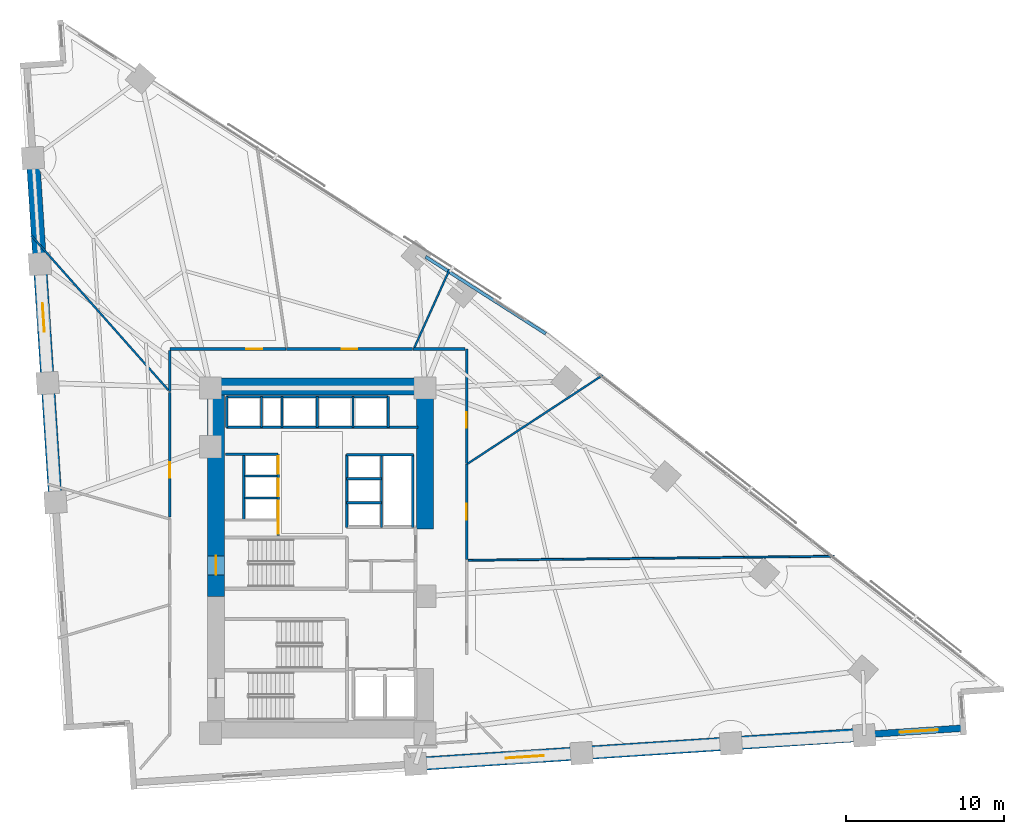
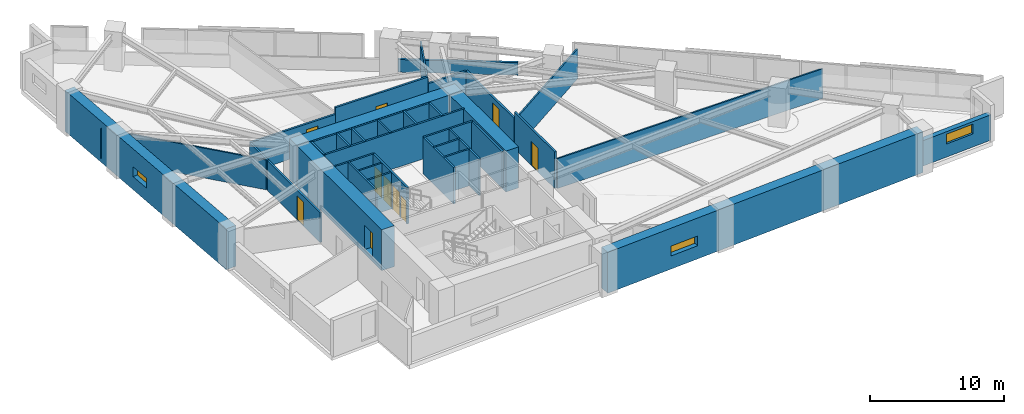
# One storey, part 14 of 17: 38 walls, 10 doors, 3 windows, 13 openings.
"""IFC4 building model written with IfcOpenShell, lengths in metres."""

from ifc_helpers import new_model, si_unit, direction, frame, frame_2d, origin, place, context, subcontext, project, spatial, rectangle, extrude, material, layer, layer_set, type_object, element, fill, save


model = new_model("IFC4")

# Units and contexts
model_context = context("Model", 3, precision=1e-05, world=origin(), true_north=direction((0.0, 1.0)))
body_context = subcontext(model_context, "Body", "Model", "MODEL_VIEW")
ifc_project = project(units=[si_unit("LENGTHUNIT", "METRE"), si_unit("AREAUNIT", "SQUARE_METRE"), si_unit("VOLUMEUNIT", "CUBIC_METRE"), si_unit("PLANEANGLEUNIT", "RADIAN"), si_unit("MASSUNIT", "GRAM", prefix="KILO")], contexts=[model_context])

# Site, building, storey
site_placement = place(None, origin())
site = spatial("IfcSite", under=ifc_project, at=site_placement, CompositionType="ELEMENT")
building_placement = place(site_placement, origin())
building = spatial("IfcBuilding", under=site, at=building_placement, Name="Narakoshi Arena Tower", CompositionType="ELEMENT")
storey_placement = place(building_placement, frame((0.0, 0.0, 63.300048828125)))
storey = spatial("IfcBuildingStorey", under=building, at=storey_placement, Name="L16", CompositionType="ELEMENT", Elevation=63.300048828125)

# Wall, opening, door
ifc_material_1 = material(Name="Concrete C60/75", Category="concrete")
ifc_layer_1 = layer(ifc_material_1, 1.10009765625)
ifc_layer_set_1 = layer_set([ifc_layer_1], Name="Concrete C60/75")
wall_type_1 = type_object("IfcWallType", Name="WL-CORE-1100", PredefinedType="SHEAR", material=ifc_layer_set_1)
wall_1_placement = place(storey_placement, frame((72.35009765625, 43.35009765625, -0.400146484375), z_axis=(0.0, 0.0, 1.0), x_axis=(0.0, 1.0, 0.0)))
wall_1 = element("IfcWall", 1, at=wall_1_placement, inside=storey, type_object=wall_type_1, Name="L16 Main Core Shear Wall CW-MN-W", PredefinedType="SHEAR", context=body_context, shape_type="SweptSolid", body=[
    extrude(rectangle(XDim=12.699951171875, YDim=1.10009765625, at=frame_2d((6.35009765625, 0.0))), origin(), (0.0, 0.0, 1.0), 3.739990234375),
])
opening_1_placement = place(wall_1_placement, frame((1.35009765625, 0.0, 0.39990234375)))
opening_1 = element("IfcOpeningElement", 2, at=opening_1_placement, cuts=wall_1, Name="Opening D-03", PredefinedType="OPENING", context=body_context, shape_type="SweptSolid", body=[
    extrude(rectangle(XDim=1.199951171875, YDim=2.199951171875, at=frame_2d((0.60009765625, 1.10009765625))), frame((0.0, 0.56005859375, 0.0), z_axis=(0.0, -1.0, 0.0), x_axis=(1.0, 0.0, 0.0)), (0.0, 0.0, 1.0), 1.1201171875),
])
ifc_material_2 = material(Name="Painted galvanized steel", Category="steel")
door_type_1 = type_object("IfcDoorType", Name="DR-STR-1200", OperationType="NOTDEFINED", PredefinedType="USERDEFINED", material=ifc_material_2)
door_1_placement = place(opening_1_placement, frame((1.199951171875, 0.0, 0.0), z_axis=(0.0, 0.0, 1.0), x_axis=(-1.0, 0.0, 0.0)))
door_1 = element("IfcDoor", 3, at=door_1_placement, inside=storey, type_object=door_type_1, Name="DR-L16-006", ObjectType="EXITDOOR", OperationType="SINGLE_SWING_LEFT", OverallHeight=2.199951171875, OverallWidth=1.199951171875, PredefinedType="USERDEFINED", context=body_context, shape_type="SweptSolid", body=[
    extrude(rectangle(XDim=1.199951171875, YDim=2.199951171875, at=frame_2d((0.60009765625, 1.10009765625))), frame((0.0, 0.02490234375, 0.0), z_axis=(0.0, -1.0, 0.0), x_axis=(1.0, 0.0, 0.0)), (0.0, 0.0, 1.0), 0.050048828125),
])
fill(opening_1, door_1)

# Walls
wall_2_placement = place(storey_placement, frame((71.800048828125, 56.60009765625, -0.400146484375), z_axis=(0.0, 0.0, 1.0), x_axis=(1.0, 0.0, 0.0)))
element("IfcWall", 4, at=wall_2_placement, inside=storey, type_object=wall_type_1, Name="L16 Main Core Shear Wall CW-MN-N", PredefinedType="SHEAR", context=body_context, shape_type="SweptSolid", body=[
    extrude(rectangle(XDim=14.300048828125, YDim=1.10009765625, at=frame_2d((7.14990234375, 0.0))), origin(), (0.0, 0.0, 1.0), 3.739990234375),
])
wall_3_placement = place(storey_placement, frame((85.550048828125, 47.60009765625, -0.400146484375), z_axis=(0.0, 0.0, 1.0), x_axis=(0.0, 1.0, 0.0)))
element("IfcWall", 5, at=wall_3_placement, inside=storey, type_object=wall_type_1, Name="L16 Main Core Shear Wall CW-MN-E", PredefinedType="SHEAR", context=body_context, shape_type="SweptSolid", body=[
    extrude(rectangle(XDim=8.449951171875, YDim=1.10009765625, at=frame_2d((4.22509765625, 0.0))), origin(), (0.0, 0.0, 1.0), 3.739990234375),
])

# Wall, opening, door
ifc_material_3 = material(Name="Gypsum plasterboard fire-rated partition")
ifc_layer_2 = layer(ifc_material_3, 0.1650390625)
ifc_layer_set_2 = layer_set([ifc_layer_2], Name="Gypsum plasterboard fire-rated partition")
wall_type_2 = type_object("IfcWallType", Name="WL-CORR-165", PredefinedType="PARTITIONING", material=ifc_layer_set_2)
wall_4_placement = place(storey_placement, frame((88.177978515625, 45.68115234375, 0.0), z_axis=(0.0, 0.0, 1.0), x_axis=(0.0, 1.0, 0.0)))
wall_4 = element("IfcWall", 6, at=wall_4_placement, inside=storey, type_object=wall_type_2, Name="L16 Corridor Partition 05-1", PredefinedType="PARTITIONING", context=body_context, shape_type="SweptSolid", body=[
    extrude(rectangle(XDim=6.02978515625, YDim=0.1650390625, at=frame_2d((3.014892578125, 0.0))), origin(), (0.0, 0.0, 1.0), 3.33984375),
])
opening_2_placement = place(wall_4_placement, frame((2.514892578125, 0.0, 0.0)))
opening_2 = element("IfcOpeningElement", 7, at=opening_2_placement, cuts=wall_4, Name="Opening D-06", PredefinedType="OPENING", context=body_context, shape_type="SweptSolid", body=[
    extrude(rectangle(XDim=1.0, YDim=2.199951171875, at=frame_2d((0.5, 1.10009765625))), frame((0.0, 0.092529296875, 0.0), z_axis=(0.0, -1.0, 0.0), x_axis=(1.0, 0.0, 0.0)), (0.0, 0.0, 1.0), 0.18505859375),
])
ifc_material_4 = material(Name="Stained oak solid-core timber", Category="wood")
door_type_2 = type_object("IfcDoorType", Name="DR-OFF-1000", OperationType="NOTDEFINED", PredefinedType="DOOR", material=ifc_material_4)
door_2_placement = place(opening_2_placement, frame((1.0, 0.0, 0.0), z_axis=(0.0, 0.0, 1.0), x_axis=(-1.0, 0.0, 0.0)))
door_2 = element("IfcDoor", 8, at=door_2_placement, inside=storey, type_object=door_type_2, Name="DR-L16-018", OperationType="SINGLE_SWING_RIGHT", OverallHeight=2.199951171875, OverallWidth=1.0, PredefinedType="DOOR", context=body_context, shape_type="SweptSolid", body=[
    extrude(rectangle(XDim=1.0, YDim=2.199951171875, at=frame_2d((0.5, 1.10009765625))), frame((0.0, 0.02490234375, 0.0), z_axis=(0.0, -1.0, 0.0), x_axis=(1.0, 0.0, 0.0)), (0.0, 0.0, 1.0), 0.050048828125),
])
fill(opening_2, door_2)

wall_5_placement = place(storey_placement, frame((88.177978515625, 51.739501953125, 0.0), z_axis=(0.0, 0.0, 1.0), x_axis=(0.0, 1.0, 0.0)))
wall_5 = element("IfcWall", 9, at=wall_5_placement, inside=storey, type_object=wall_type_2, Name="L16 Corridor Partition 06-1", PredefinedType="PARTITIONING", context=body_context, shape_type="SweptSolid", body=[
    extrude(rectangle(XDim=7.23291015625, YDim=0.1650390625, at=frame_2d((3.616455078125, 0.0))), origin(), (0.0, 0.0, 1.0), 2.724853515625),
])
opening_3_placement = place(wall_5_placement, frame((2.241455078125, 0.0, 0.0)))
opening_3 = element("IfcOpeningElement", 10, at=opening_3_placement, cuts=wall_5, Name="Opening D-06", PredefinedType="OPENING", context=body_context, shape_type="SweptSolid", body=[
    extrude(rectangle(XDim=1.0, YDim=2.199951171875, at=frame_2d((0.5, 1.10009765625))), frame((0.0, 0.092529296875, 0.0), z_axis=(0.0, -1.0, 0.0), x_axis=(1.0, 0.0, 0.0)), (0.0, 0.0, 1.0), 0.18505859375),
])
door_3_placement = place(opening_3_placement, frame((1.0, 0.0, 0.0), z_axis=(0.0, 0.0, 1.0), x_axis=(-1.0, 0.0, 0.0)))
door_3 = element("IfcDoor", 11, at=door_3_placement, inside=storey, type_object=door_type_2, Name="DR-L16-019", OperationType="SINGLE_SWING_LEFT", OverallHeight=2.199951171875, OverallWidth=1.0, PredefinedType="DOOR", context=body_context, shape_type="SweptSolid", body=[
    extrude(rectangle(XDim=1.0, YDim=2.199951171875, at=frame_2d((0.5, 1.10009765625))), frame((0.0, 0.02490234375, 0.0), z_axis=(0.0, -1.0, 0.0), x_axis=(1.0, 0.0, 0.0)), (0.0, 0.0, 1.0), 0.050048828125),
])
fill(opening_3, door_3)

# Wall
wall_6_placement = place(storey_placement, frame((88.08349609375, 58.972412109375, 0.0), z_axis=(0.0, 0.0, 1.0), x_axis=(-1.0, 0.0, 0.0)))
element("IfcWall", 12, at=wall_6_placement, inside=storey, type_object=wall_type_2, Name="L16 Corridor Partition 06-2", PredefinedType="PARTITIONING", context=body_context, shape_type="SweptSolid", body=[
    extrude(rectangle(XDim=3.2822265625, YDim=0.1650390625, at=frame_2d((1.64111328125, 0.0))), origin(), (0.0, 0.0, 1.0), 2.724853515625),
])

# Wall, opening, door
wall_7_placement = place(storey_placement, frame((84.77490234375, 58.972412109375, 0.0), z_axis=(0.0, 0.0, 1.0), x_axis=(-1.0, 0.0, 0.0)))
wall_7 = element("IfcWall", 13, at=wall_7_placement, inside=storey, type_object=wall_type_2, Name="L16 Corridor Partition 07-1", PredefinedType="PARTITIONING", context=body_context, shape_type="SweptSolid", body=[
    extrude(rectangle(XDim=7.986083984375, YDim=0.1650390625, at=frame_2d((3.9931640625, 0.0))), origin(), (0.0, 0.0, 1.0), 3.33984375),
])
opening_4_placement = place(wall_7_placement, frame((3.4931640625, 0.0, 0.0)))
opening_4 = element("IfcOpeningElement", 14, at=opening_4_placement, cuts=wall_7, Name="Opening D-06", PredefinedType="OPENING", context=body_context, shape_type="SweptSolid", body=[
    extrude(rectangle(XDim=1.0, YDim=2.199951171875, at=frame_2d((0.5, 1.10009765625))), frame((0.0, 0.092529296875, 0.0), z_axis=(0.0, -1.0, 0.0), x_axis=(1.0, 0.0, 0.0)), (0.0, 0.0, 1.0), 0.18505859375),
])
door_4_placement = place(opening_4_placement, frame((1.0, 0.0, 0.0), z_axis=(0.0, 0.0, 1.0), x_axis=(-1.0, 0.0, 0.0)))
door_4 = element("IfcDoor", 15, at=door_4_placement, inside=storey, type_object=door_type_2, Name="DR-L16-020", OperationType="SINGLE_SWING_RIGHT", OverallHeight=2.199951171875, OverallWidth=1.0, PredefinedType="DOOR", context=body_context, shape_type="SweptSolid", body=[
    extrude(rectangle(XDim=1.0, YDim=2.199951171875, at=frame_2d((0.5, 1.10009765625))), frame((0.0, 0.02490234375, 0.0), z_axis=(0.0, -1.0, 0.0), x_axis=(1.0, 0.0, 0.0)), (0.0, 0.0, 1.0), 0.050048828125),
])
fill(opening_4, door_4)

wall_8_placement = place(storey_placement, frame((76.764404296875, 58.972412109375, 0.0), z_axis=(0.0, 0.0, 1.0), x_axis=(-1.0, 0.0, 0.0)))
wall_8 = element("IfcWall", 16, at=wall_8_placement, inside=storey, type_object=wall_type_2, Name="L16 Corridor Partition 08-1", PredefinedType="PARTITIONING", context=body_context, shape_type="SweptSolid", body=[
    extrude(rectangle(XDim=7.3369140625, YDim=0.1650390625, at=frame_2d((3.66845703125, 0.0))), origin(), (0.0, 0.0, 1.0), 2.724853515625),
])
opening_5_placement = place(wall_8_placement, frame((1.506103515625, 0.0, 0.0)))
opening_5 = element("IfcOpeningElement", 17, at=opening_5_placement, cuts=wall_8, Name="Opening D-06", PredefinedType="OPENING", context=body_context, shape_type="SweptSolid", body=[
    extrude(rectangle(XDim=1.0, YDim=2.199951171875, at=frame_2d((0.5, 1.10009765625))), frame((0.0, 0.092529296875, 0.0), z_axis=(0.0, -1.0, 0.0), x_axis=(1.0, 0.0, 0.0)), (0.0, 0.0, 1.0), 0.18505859375),
])
door_5_placement = place(opening_5_placement, frame((1.0, 0.0, 0.0), z_axis=(0.0, 0.0, 1.0), x_axis=(-1.0, 0.0, 0.0)))
door_5 = element("IfcDoor", 18, at=door_5_placement, inside=storey, type_object=door_type_2, Name="DR-L16-021", OperationType="SINGLE_SWING_LEFT", OverallHeight=2.199951171875, OverallWidth=1.0, PredefinedType="DOOR", context=body_context, shape_type="SweptSolid", body=[
    extrude(rectangle(XDim=1.0, YDim=2.199951171875, at=frame_2d((0.5, 1.10009765625))), frame((0.0, 0.02490234375, 0.0), z_axis=(0.0, -1.0, 0.0), x_axis=(1.0, 0.0, 0.0)), (0.0, 0.0, 1.0), 0.050048828125),
])
fill(opening_5, door_5)

# Wall
wall_9_placement = place(storey_placement, frame((69.427490234375, 58.8779296875, 0.0), z_axis=(0.0, 0.0, 1.0), x_axis=(0.0, -1.0, 0.0)))
element("IfcWall", 19, at=wall_9_placement, inside=storey, type_object=wall_type_2, Name="L16 Corridor Partition 08-2", PredefinedType="PARTITIONING", context=body_context, shape_type="SweptSolid", body=[
    extrude(rectangle(XDim=2.603271484375, YDim=0.1650390625, at=frame_2d((1.3017578125, 0.0))), origin(), (0.0, 0.0, 1.0), 2.724853515625),
])

# Wall, opening, door
wall_10_placement = place(storey_placement, frame((69.427490234375, 56.23828125, 0.0), z_axis=(0.0, 0.0, 1.0), x_axis=(0.0, -1.0, 0.0)))
wall_10 = element("IfcWall", 20, at=wall_10_placement, inside=storey, type_object=wall_type_2, Name="L16 Corridor Partition 09-1", PredefinedType="PARTITIONING", context=body_context, shape_type="SweptSolid", body=[
    extrude(rectangle(XDim=7.8857421875, YDim=0.1650390625, at=frame_2d((3.94287109375, 0.0))), origin(), (0.0, 0.0, 1.0), 2.724853515625),
])
opening_6_placement = place(wall_10_placement, frame((4.415771484375, 0.0, 0.0)))
opening_6 = element("IfcOpeningElement", 21, at=opening_6_placement, cuts=wall_10, Name="Opening D-06", PredefinedType="OPENING", context=body_context, shape_type="SweptSolid", body=[
    extrude(rectangle(XDim=1.0, YDim=2.199951171875, at=frame_2d((0.5, 1.10009765625))), frame((0.0, 0.092529296875, 0.0), z_axis=(0.0, -1.0, 0.0), x_axis=(1.0, 0.0, 0.0)), (0.0, 0.0, 1.0), 0.18505859375),
])
door_6_placement = place(opening_6_placement, frame((1.0, 0.0, 0.0), z_axis=(0.0, 0.0, 1.0), x_axis=(-1.0, 0.0, 0.0)))
door_6 = element("IfcDoor", 22, at=door_6_placement, inside=storey, type_object=door_type_2, Name="DR-L16-022", OperationType="SINGLE_SWING_RIGHT", OverallHeight=2.199951171875, OverallWidth=1.0, PredefinedType="DOOR", context=body_context, shape_type="SweptSolid", body=[
    extrude(rectangle(XDim=1.0, YDim=2.199951171875, at=frame_2d((0.5, 1.10009765625))), frame((0.0, 0.02490234375, 0.0), z_axis=(0.0, -1.0, 0.0), x_axis=(1.0, 0.0, 0.0)), (0.0, 0.0, 1.0), 0.050048828125),
])
fill(opening_6, door_6)

# Wall, opening, window
ifc_layer_3 = layer(ifc_material_1, 0.85009765625)
ifc_layer_set_3 = layer_set([ifc_layer_3], Name="Concrete C60/75")
wall_type_3 = type_object("IfcWallType", Name="WL-LEG-850", PredefinedType="SHEAR", material=ifc_layer_set_3)
wall_11_placement = place(storey_placement, frame((84.95703125, 32.7509765625, -0.400146484375), z_axis=(0.0, 0.0, 1.0), x_axis=(0.997859046449, 0.065401249368, 0.0)))
wall_11 = element("IfcWall", 23, at=wall_11_placement, inside=storey, type_object=wall_type_3, Name="L16 Architectural Concrete Structural Wall LEGA-2", PredefinedType="SHEAR", context=body_context, shape_type="SweptSolid", body=[
    extrude(rectangle(XDim=28.400390625, YDim=0.85009765625, at=frame_2d((14.2001953125, 0.0))), origin(), (0.0, 0.0, 1.0), 3.739990234375),
])
opening_7_placement = place(wall_11_placement, frame((5.699951171875, 0.0, 1.199951171875)))
opening_7 = element("IfcOpeningElement", 24, at=opening_7_placement, cuts=wall_11, Name="Opening WN-01", PredefinedType="OPENING", context=body_context, shape_type="SweptSolid", body=[
    extrude(rectangle(XDim=2.39990234375, YDim=0.89990234375, at=frame_2d((1.199951171875, 0.449951171875))), frame((0.0, 0.43505859375, 0.0), z_axis=(0.0, -1.0, 0.0), x_axis=(1.0, 0.0, 0.0)), (0.0, 0.0, 1.0), 0.8701171875),
])
ifc_material_5 = material(Name="Bronze-tinted low-E laminated glass", Category="glass")
window_type_1 = type_object("IfcWindowType", Name="WIN-SLT-24x09", PartitioningType="SINGLE_PANEL", PredefinedType="WINDOW", material=ifc_material_5)
window_1_placement = place(opening_7_placement, origin())
window_1 = element("IfcWindow", 25, at=window_1_placement, inside=storey, type_object=window_type_1, Name="L16 LEGA2 Horizontal Slot Window 1", OverallHeight=0.89990234375, OverallWidth=2.39990234375, PartitioningType="SINGLE_PANEL", PredefinedType="WINDOW", context=body_context, shape_type="SweptSolid", body=[
    extrude(rectangle(XDim=2.39990234375, YDim=0.89990234375, at=frame_2d((1.199951171875, 0.449951171875))), frame((0.0, 0.030029296875, 0.0), z_axis=(0.0, -1.0, 0.0), x_axis=(1.0, 0.0, 0.0)), (0.0, 0.0, 1.0), 0.06005859375),
])
fill(opening_7, window_1)

wall_12_placement = place(storey_placement, frame((60.785400390625, 71.031005859375, -0.400146484375), z_axis=(0.0, 0.0, 1.0), x_axis=(0.065409824833, -0.997858484363, 0.0)))
wall_12 = element("IfcWall", 26, at=wall_12_placement, inside=storey, type_object=wall_type_3, Name="L16 Architectural Concrete Structural Wall LEGB-2", PredefinedType="SHEAR", context=body_context, shape_type="SweptSolid", body=[
    extrude(rectangle(XDim=21.78271484375, YDim=0.85009765625, at=frame_2d((10.891357421875, 0.0))), origin(), (0.0, 0.0, 1.0), 3.739990234375),
])
opening_8_placement = place(wall_12_placement, frame((9.199951171875, 0.0, 1.199951171875)))
opening_8 = element("IfcOpeningElement", 27, at=opening_8_placement, cuts=wall_12, Name="Opening WN-02", PredefinedType="OPENING", context=body_context, shape_type="SweptSolid", body=[
    extrude(rectangle(XDim=1.800048828125, YDim=0.89990234375, at=frame_2d((0.89990234375, 0.449951171875))), frame((0.0, 0.43505859375, 0.0), z_axis=(0.0, -1.0, 0.0), x_axis=(1.0, 0.0, 0.0)), (0.0, 0.0, 1.0), 0.8701171875),
])
window_type_2 = type_object("IfcWindowType", Name="WIN-SLT-18x09", PartitioningType="SINGLE_PANEL", PredefinedType="WINDOW", material=ifc_material_5)
window_2_placement = place(opening_8_placement, origin())
window_2 = element("IfcWindow", 28, at=window_2_placement, inside=storey, type_object=window_type_2, Name="L16 LEGB2 Horizontal Slot Window 1", OverallHeight=0.89990234375, OverallWidth=1.800048828125, PartitioningType="SINGLE_PANEL", PredefinedType="WINDOW", context=body_context, shape_type="SweptSolid", body=[
    extrude(rectangle(XDim=1.800048828125, YDim=0.89990234375, at=frame_2d((0.89990234375, 0.449951171875))), frame((0.0, 0.030029296875, 0.0), z_axis=(0.0, -1.0, 0.0), x_axis=(1.0, 0.0, 0.0)), (0.0, 0.0, 1.0), 0.06005859375),
])
fill(opening_8, window_2)

# Walls
ifc_material_6 = material(Name="Precast concrete C45/55", Category="concrete")
ifc_layer_4 = layer(ifc_material_6, 0.25)
ifc_layer_set_4 = layer_set([ifc_layer_4], Name="Precast concrete C45/55")
wall_type_4 = type_object("IfcWallType", Name="WL-PARA-250", PredefinedType="PARAPET", material=ifc_layer_set_4)
wall_13_placement = place(storey_placement, frame((93.176025390625, 59.93896484375, 0.0), z_axis=(0.0, 0.0, 1.0), x_axis=(-0.842413081081, 0.538832256666, 0.0)))
element("IfcWall", 29, at=wall_13_placement, inside=storey, type_object=wall_type_4, Name="L16 Hypotenuse Sill Upstand Parapet 2-01", PredefinedType="PARAPET", context=body_context, shape_type="SweptSolid", body=[
    extrude(rectangle(XDim=9.010986328125, YDim=0.199951171875, at=frame_2d((4.50537109375, 0.0))), origin(), (0.0, 0.0, 1.0), 1.14990234375),
])
ifc_layer_5 = layer(ifc_material_3, 0.125)
ifc_layer_set_5 = layer_set([ifc_layer_5], Name="Gypsum plasterboard fire-rated partition")
wall_type_5 = type_object("IfcWallType", Name="WL-PART-125", PredefinedType="PARTITIONING", material=ifc_layer_set_5)
wall_14_placement = place(storey_placement, frame((88.272705078125, 45.622314453125, 0.0), z_axis=(0.0, 0.0, 1.0), x_axis=(0.999939012806, 0.011044033191, 0.0)))
element("IfcWall", 30, at=wall_14_placement, inside=storey, type_object=wall_type_5, Name="L16 Inter-Room Partition 04-05", PredefinedType="PARTITIONING", context=body_context, shape_type="SweptSolid", body=[
    extrude(rectangle(XDim=23.123046875, YDim=0.125, at=frame_2d((11.5615234375, 0.0))), origin(), (0.0, 0.0, 1.0), 2.724853515625),
])
wall_15_placement = place(storey_placement, frame((88.22607421875, 51.7109375, 0.0), z_axis=(0.0, 0.0, 1.0), x_axis=(0.83621278641, 0.548405120185, 0.0)))
element("IfcWall", 31, at=wall_15_placement, inside=storey, type_object=wall_type_5, Name="L16 Inter-Room Partition 05-06", PredefinedType="PARTITIONING", context=body_context, shape_type="SweptSolid", body=[
    extrude(rectangle(XDim=10.228515625, YDim=0.125, at=frame_2d((5.1142578125, 0.0))), origin(), (0.0, 0.0, 1.0), 2.724853515625),
])
wall_16_placement = place(storey_placement, frame((84.88330078125, 59.06689453125, 0.0), z_axis=(0.0, 0.0, 1.0), x_axis=(0.41061747733, 0.911807703033, 0.0)))
element("IfcWall", 32, at=wall_16_placement, inside=storey, type_object=wall_type_5, Name="L16 Inter-Room Partition 06-07", PredefinedType="PARTITIONING", context=body_context, shape_type="SweptSolid", body=[
    extrude(rectangle(XDim=5.420654296875, YDim=0.125, at=frame_2d((2.71044921875, 0.0))), origin(), (0.0, 0.0, 1.0), 2.724853515625),
])
wall_17_placement = place(storey_placement, frame((69.3330078125, 56.38134765625, 0.0), z_axis=(0.0, 0.0, 1.0), x_axis=(-0.663307276118, 0.748347150358, 0.0)))
element("IfcWall", 33, at=wall_17_placement, inside=storey, type_object=wall_type_5, Name="L16 Inter-Room Partition 08-09", PredefinedType="PARTITIONING", context=body_context, shape_type="SweptSolid", body=[
    extrude(rectangle(XDim=13.04541015625, YDim=0.125, at=frame_2d((6.522705078125, 0.0))), origin(), (0.0, 0.0, 1.0), 2.724853515625),
])

# Wall, opening, window
ifc_layer_6 = layer(ifc_material_6, 0.419921875)
ifc_layer_set_6 = layer_set([ifc_layer_6], Name="Precast concrete C45/55")
wall_type_6 = type_object("IfcWallType", Name="WL-POD-420", PredefinedType="SOLIDWALL", material=ifc_layer_set_6)
wall_18_placement = place(storey_placement, frame((113.296630859375, 34.6083984375, 0.0), z_axis=(0.0, 0.0, 1.0), x_axis=(0.997857907016, 0.065418631945, 0.0)))
wall_18 = element("IfcWall", 34, at=wall_18_placement, inside=storey, type_object=wall_type_6, Name="L16 Architectural Concrete Facade Wall LEGA-3", PredefinedType="SOLIDWALL", context=body_context, shape_type="SweptSolid", body=[
    extrude(rectangle(XDim=6.2734375, YDim=0.419921875, at=frame_2d((3.13671875, 0.0))), origin(), (0.0, 0.0, 1.0), 2.324951171875),
])
opening_9_placement = place(wall_18_placement, frame((2.25341796875, 0.0, 1.199951171875)))
opening_9 = element("IfcOpeningElement", 35, at=opening_9_placement, cuts=wall_18, Name="Opening WN-01", PredefinedType="OPENING", context=body_context, shape_type="SweptSolid", body=[
    extrude(rectangle(XDim=2.39990234375, YDim=0.89990234375, at=frame_2d((1.199951171875, 0.449951171875))), frame((0.0, 0.219970703125, 0.0), z_axis=(0.0, -1.0, 0.0), x_axis=(1.0, 0.0, 0.0)), (0.0, 0.0, 1.0), 0.43994140625),
])
window_3_placement = place(opening_9_placement, origin())
window_3 = element("IfcWindow", 36, at=window_3_placement, inside=storey, type_object=window_type_1, Name="L16 LEGA3 Horizontal Slot Window 1", OverallHeight=0.89990234375, OverallWidth=2.39990234375, PartitioningType="SINGLE_PANEL", PredefinedType="WINDOW", context=body_context, shape_type="SweptSolid", body=[
    extrude(rectangle(XDim=2.39990234375, YDim=0.89990234375, at=frame_2d((1.199951171875, 0.449951171875))), frame((0.0, 0.030029296875, 0.0), z_axis=(0.0, -1.0, 0.0), x_axis=(1.0, 0.0, 0.0)), (0.0, 0.0, 1.0), 0.06005859375),
])
fill(opening_9, window_3)

# Walls
ifc_material_7 = material(Name="Concrete C40/50", Category="concrete")
ifc_layer_7 = layer(ifc_material_7, 0.280029296875)
ifc_layer_set_7 = layer_set([ifc_layer_7], Name="Concrete C40/50")
wall_type_7 = type_object("IfcWallType", Name="WL-RISER-280", PredefinedType="PLUMBINGWALL", material=ifc_layer_set_7)
for number, where, z_axis, x_axis, name in (
    (37, (74.14990234375, 49.550048828125, 0.0), (0.0, 0.0, 1.0), (1.0, 0.0, 0.0), "L16 Core Wall LR-D1"),
    (38, (74.14990234375, 50.949951171875, 0.0), (0.0, 0.0, 1.0), (1.0, 0.0, 0.0), "L16 Core Wall LR-D2"),
):
    element("IfcWall", number, at=place(storey_placement, frame(where, z_axis=z_axis, x_axis=x_axis)), inside=storey, type_object=wall_type_7, Name=name, PredefinedType="PLUMBINGWALL", context=body_context, shape_type="SweptSolid", body=[
        extrude(rectangle(XDim=2.0400390625, YDim=0.139892578125, at=frame_2d((1.02001953125, 0.0))), origin(), (0.0, 0.0, 1.0), 3.33984375),
    ])
wall_19_placement = place(storey_placement, frame((74.10009765625, 48.159912109375, 0.0), z_axis=(0.0, 0.0, 1.0), x_axis=(0.0, 1.0, 0.0)))
element("IfcWall", 39, at=wall_19_placement, inside=storey, type_object=wall_type_7, Name="L16 Core Wall LR-W", PredefinedType="PLUMBINGWALL", context=body_context, shape_type="SweptSolid", body=[
    extrude(rectangle(XDim=4.16015625, YDim=0.139892578125, at=frame_2d((2.080078125, 0.0))), origin(), (0.0, 0.0, 1.0), 3.33984375),
])
for number, where, z_axis, x_axis, name in (
    (40, (80.60009765625, 49.260009765625, 0.0), (0.0, 0.0, 1.0), (1.0, 0.0, 0.0), "L16 Core Wall MR-D1"),
    (41, (80.60009765625, 50.780029296875, 0.0), (0.0, 0.0, 1.0), (1.0, 0.0, 0.0), "L16 Core Wall MR-D2"),
):
    element("IfcWall", number, at=place(storey_placement, frame(where, z_axis=z_axis, x_axis=x_axis)), inside=storey, type_object=wall_type_7, Name=name, PredefinedType="PLUMBINGWALL", context=body_context, shape_type="SweptSolid", body=[
        extrude(rectangle(XDim=2.199951171875, YDim=0.14990234375, at=frame_2d((1.10009765625, 0.0))), origin(), (0.0, 0.0, 1.0), 3.33984375),
    ])
wall_20_placement = place(storey_placement, frame((82.800048828125, 47.699951171875, 0.0), z_axis=(0.0, 0.0, 1.0), x_axis=(0.0, 1.0, 0.0)))
element("IfcWall", 42, at=wall_20_placement, inside=storey, type_object=wall_type_7, Name="L16 Core Wall MR-E", PredefinedType="PLUMBINGWALL", context=body_context, shape_type="SweptSolid", body=[
    extrude(rectangle(XDim=4.60009765625, YDim=0.14990234375, at=frame_2d((2.300048828125, 0.0))), origin(), (0.0, 0.0, 1.0), 3.33984375),
])
for number, where, z_axis, x_axis, name in (
    (43, (73.02001953125, 54.02001953125, 0.0), (0.0, 0.0, 1.0), (0.0, 1.0, 0.0), "L16 Core Wall OBS-W"),
    (44, (75.219970703125, 54.02001953125, 0.0), (0.0, 0.0, 1.0), (0.0, 1.0, 0.0), "L16 Core Wall OBS-M"),
):
    element("IfcWall", number, at=place(storey_placement, frame(where, z_axis=z_axis, x_axis=x_axis)), inside=storey, type_object=wall_type_7, Name=name, PredefinedType="PLUMBINGWALL", context=body_context, shape_type="SweptSolid", body=[
        extrude(rectangle(XDim=1.93994140625, YDim=0.14990234375, at=frame_2d((0.969970703125, 0.0))), origin(), (0.0, 0.0, 1.0), 3.33984375),
    ])
for number, where, z_axis, x_axis, name in (
    (45, (78.75, 54.02001953125, 0.0), (0.0, 0.0, 1.0), (0.0, 1.0, 0.0), "L16 Core Wall HR-D1"),
    (46, (81.0, 54.02001953125, 0.0), (0.0, 0.0, 1.0), (0.0, 1.0, 0.0), "L16 Core Wall HR-D2"),
):
    element("IfcWall", number, at=place(storey_placement, frame(where, z_axis=z_axis, x_axis=x_axis)), inside=storey, type_object=wall_type_7, Name=name, PredefinedType="PLUMBINGWALL", context=body_context, shape_type="SweptSolid", body=[
        extrude(rectangle(XDim=1.9599609375, YDim=0.14990234375, at=frame_2d((0.97998046875, 0.0))), origin(), (0.0, 0.0, 1.0), 3.33984375),
    ])

# Wall, openings, doors
ifc_material_8 = material(Name="Concrete C50/60", Category="concrete")
ifc_layer_8 = layer(ifc_material_8, 0.35009765625)
ifc_layer_set_8 = layer_set([ifc_layer_8], Name="Concrete C50/60")
wall_type_8 = type_object("IfcWallType", Name="WL-SHAFT-350", PredefinedType="SOLIDWALL", material=ifc_layer_set_8)
wall_21_placement = place(storey_placement, frame((76.280029296875, 47.179931640625, 0.0), z_axis=(0.0, 0.0, 1.0), x_axis=(0.0, 1.0, 0.0)))
wall_21 = element("IfcWall", 47, at=wall_21_placement, inside=storey, type_object=wall_type_8, Name="L16 Core Wall LR-E", PredefinedType="SOLIDWALL", context=body_context, shape_type="SweptSolid", body=[
    extrude(rectangle(XDim=5.14013671875, YDim=0.159912109375, at=frame_2d((2.570068359375, 0.0))), origin(), (0.0, 0.0, 1.0), 3.33984375),
])
opening_10_placement = place(wall_21_placement, frame((1.10009765625, 0.0, 0.0)))
opening_10 = element("IfcOpeningElement", 48, at=opening_10_placement, cuts=wall_21, Name="Opening LD-01", PredefinedType="OPENING", context=body_context, shape_type="SweptSolid", body=[
    extrude(rectangle(XDim=1.10009765625, YDim=2.25, at=frame_2d((0.550048828125, 1.125))), frame((0.0, 0.08984375, 0.0), z_axis=(0.0, -1.0, 0.0), x_axis=(1.0, 0.0, 0.0)), (0.0, 0.0, 1.0), 0.179931640625),
])
opening_11_placement = place(wall_21_placement, frame((2.5, 0.0, 0.0)))
opening_11 = element("IfcOpeningElement", 49, at=opening_11_placement, cuts=wall_21, Name="Opening LD-01", PredefinedType="OPENING", context=body_context, shape_type="SweptSolid", body=[
    extrude(rectangle(XDim=1.10009765625, YDim=2.25, at=frame_2d((0.550048828125, 1.125))), frame((0.0, 0.08984375, 0.0), z_axis=(0.0, -1.0, 0.0), x_axis=(1.0, 0.0, 0.0)), (0.0, 0.0, 1.0), 0.179931640625),
])
opening_12_placement = place(wall_21_placement, frame((3.89990234375, 0.0, 0.0)))
opening_12 = element("IfcOpeningElement", 50, at=opening_12_placement, cuts=wall_21, Name="Opening LD-01", PredefinedType="OPENING", context=body_context, shape_type="SweptSolid", body=[
    extrude(rectangle(XDim=1.10009765625, YDim=2.25, at=frame_2d((0.550048828125, 1.125))), frame((0.0, 0.08984375, 0.0), z_axis=(0.0, -1.0, 0.0), x_axis=(1.0, 0.0, 0.0)), (0.0, 0.0, 1.0), 0.179931640625),
])
opening_13_placement = place(wall_21_placement, frame((0.1201171875, 0.0, 0.0)))
opening_13 = element("IfcOpeningElement", 51, at=opening_13_placement, cuts=wall_21, Name="Opening D-10", PredefinedType="OPENING", context=body_context, shape_type="SweptSolid", body=[
    extrude(rectangle(XDim=0.85009765625, YDim=2.050048828125, at=frame_2d((0.425048828125, 1.02490234375))), frame((0.0, 0.08984375, 0.0), z_axis=(0.0, -1.0, 0.0), x_axis=(1.0, 0.0, 0.0)), (0.0, 0.0, 1.0), 0.179931640625),
])
ifc_material_9 = material(Name="Brushed bronze stainless steel", Category="steel")
door_type_3 = type_object("IfcDoorType", Name="DR-LFT-1100", OperationType="DOUBLE_DOOR_SLIDING", PredefinedType="DOOR", material=ifc_material_9)
door_7_placement = place(opening_10_placement, origin())
door_7 = element("IfcDoor", 52, at=door_7_placement, inside=storey, type_object=door_type_3, Name="DR-L16-010", OperationType="DOUBLE_DOOR_SLIDING", OverallHeight=2.25, OverallWidth=1.10009765625, PredefinedType="DOOR", context=body_context, shape_type="SweptSolid", body=[
    extrude(rectangle(XDim=1.10009765625, YDim=2.25, at=frame_2d((0.550048828125, 1.125))), frame((0.0, 0.02490234375, 0.0), z_axis=(0.0, -1.0, 0.0), x_axis=(1.0, 0.0, 0.0)), (0.0, 0.0, 1.0), 0.050048828125),
])
fill(opening_10, door_7)
door_8_placement = place(opening_11_placement, origin())
door_8 = element("IfcDoor", 53, at=door_8_placement, inside=storey, type_object=door_type_3, Name="DR-L16-011", OperationType="DOUBLE_DOOR_SLIDING", OverallHeight=2.25, OverallWidth=1.10009765625, PredefinedType="DOOR", context=body_context, shape_type="SweptSolid", body=[
    extrude(rectangle(XDim=1.10009765625, YDim=2.25, at=frame_2d((0.550048828125, 1.125))), frame((0.0, 0.02490234375, 0.0), z_axis=(0.0, -1.0, 0.0), x_axis=(1.0, 0.0, 0.0)), (0.0, 0.0, 1.0), 0.050048828125),
])
fill(opening_11, door_8)
door_9_placement = place(opening_12_placement, origin())
door_9 = element("IfcDoor", 54, at=door_9_placement, inside=storey, type_object=door_type_3, Name="DR-L16-012", OperationType="DOUBLE_DOOR_SLIDING", OverallHeight=2.25, OverallWidth=1.10009765625, PredefinedType="DOOR", context=body_context, shape_type="SweptSolid", body=[
    extrude(rectangle(XDim=1.10009765625, YDim=2.25, at=frame_2d((0.550048828125, 1.125))), frame((0.0, 0.02490234375, 0.0), z_axis=(0.0, -1.0, 0.0), x_axis=(1.0, 0.0, 0.0)), (0.0, 0.0, 1.0), 0.050048828125),
])
fill(opening_12, door_9)
door_type_4 = type_object("IfcDoorType", Name="DR-RSR-850", OperationType="NOTDEFINED", PredefinedType="DOOR", material=ifc_material_2)
door_10_placement = place(opening_13_placement, frame((0.85009765625, 0.0, 0.0), z_axis=(0.0, 0.0, 1.0), x_axis=(-1.0, 0.0, 0.0)))
door_10 = element("IfcDoor", 55, at=door_10_placement, inside=storey, type_object=door_type_4, Name="DR-L16-013", OperationType="SINGLE_SWING_LEFT", OverallHeight=2.050048828125, OverallWidth=0.85009765625, PredefinedType="DOOR", context=body_context, shape_type="SweptSolid", body=[
    extrude(rectangle(XDim=0.85009765625, YDim=2.050048828125, at=frame_2d((0.425048828125, 1.02490234375))), frame((0.0, 0.02490234375, 0.0), z_axis=(0.0, -1.0, 0.0), x_axis=(1.0, 0.0, 0.0)), (0.0, 0.0, 1.0), 0.050048828125),
])
fill(opening_13, door_10)

# Walls
wall_22_placement = place(storey_placement, frame((72.949951171875, 52.320068359375, 0.0), z_axis=(0.0, 0.0, 1.0), x_axis=(1.0, 0.0, 0.0)))
element("IfcWall", 56, at=wall_22_placement, inside=storey, type_object=wall_type_8, Name="L16 Core Wall LR-N", PredefinedType="SOLIDWALL", context=body_context, shape_type="SweptSolid", body=[
    extrude(rectangle(XDim=3.330078125, YDim=0.14990234375, at=frame_2d((1.6650390625, 0.0))), origin(), (0.0, 0.0, 1.0), 3.33984375),
])
wall_23_placement = place(storey_placement, frame((80.60009765625, 47.699951171875, 0.0), z_axis=(0.0, 0.0, 1.0), x_axis=(0.0, 1.0, 0.0)))
element("IfcWall", 57, at=wall_23_placement, inside=storey, type_object=wall_type_8, Name="L16 Core Wall MR-W", PredefinedType="SOLIDWALL", context=body_context, shape_type="SweptSolid", body=[
    extrude(rectangle(XDim=4.60009765625, YDim=0.159912109375, at=frame_2d((2.300048828125, 0.0))), origin(), (0.0, 0.0, 1.0), 3.33984375),
])
wall_24_placement = place(storey_placement, frame((80.60009765625, 52.300048828125, 0.0), z_axis=(0.0, 0.0, 1.0), x_axis=(1.0, 0.0, 0.0)))
element("IfcWall", 58, at=wall_24_placement, inside=storey, type_object=wall_type_8, Name="L16 Core Wall MR-N", PredefinedType="SOLIDWALL", context=body_context, shape_type="SweptSolid", body=[
    extrude(rectangle(XDim=4.219970703125, YDim=0.159912109375, at=frame_2d((2.10986328125, 0.0))), origin(), (0.0, 0.0, 1.0), 3.33984375),
])
wall_25_placement = place(storey_placement, frame((84.780029296875, 47.699951171875, 0.0), z_axis=(0.0, 0.0, 1.0), x_axis=(0.0, 1.0, 0.0)))
element("IfcWall", 59, at=wall_25_placement, inside=storey, type_object=wall_type_8, Name="L16 Core Wall MR-E2", PredefinedType="SOLIDWALL", context=body_context, shape_type="SweptSolid", body=[
    extrude(rectangle(XDim=4.60009765625, YDim=0.159912109375, at=frame_2d((2.300048828125, 0.0))), origin(), (0.0, 0.0, 1.0), 3.33984375),
])
wall_26_placement = place(storey_placement, frame((73.02001953125, 54.02001953125, 0.0), z_axis=(0.0, 0.0, 1.0), x_axis=(1.0, 0.0, 0.0)))
element("IfcWall", 60, at=wall_26_placement, inside=storey, type_object=wall_type_8, Name="L16 Core Wall NSHF-S", PredefinedType="SOLIDWALL", context=body_context, shape_type="SweptSolid", body=[
    extrude(rectangle(XDim=12.080078125, YDim=0.159912109375, at=frame_2d((6.0400390625, 0.0))), origin(), (0.0, 0.0, 1.0), 3.33984375),
])
wall_27_placement = place(storey_placement, frame((73.02001953125, 55.9599609375, 0.0), z_axis=(0.0, 0.0, 1.0), x_axis=(1.0, 0.0, 0.0)))
element("IfcWall", 61, at=wall_27_placement, inside=storey, type_object=wall_type_8, Name="L16 Core Wall OBS-N", PredefinedType="SOLIDWALL", context=body_context, shape_type="SweptSolid", body=[
    extrude(rectangle(XDim=3.5, YDim=0.14990234375, at=frame_2d((1.75, 0.0))), origin(), (0.0, 0.0, 1.0), 3.33984375),
])
wall_28_placement = place(storey_placement, frame((76.52001953125, 54.02001953125, 0.0), z_axis=(0.0, 0.0, 1.0), x_axis=(0.0, 1.0, 0.0)))
element("IfcWall", 62, at=wall_28_placement, inside=storey, type_object=wall_type_8, Name="L16 Core Wall OBS-E", PredefinedType="SOLIDWALL", context=body_context, shape_type="SweptSolid", body=[
    extrude(rectangle(XDim=1.93994140625, YDim=0.14990234375, at=frame_2d((0.969970703125, 0.0))), origin(), (0.0, 0.0, 1.0), 3.33984375),
])
wall_29_placement = place(storey_placement, frame((83.219970703125, 54.02001953125, 0.0), z_axis=(0.0, 0.0, 1.0), x_axis=(0.0, 1.0, 0.0)))
element("IfcWall", 63, at=wall_29_placement, inside=storey, type_object=wall_type_8, Name="L16 Core Wall HR-E", PredefinedType="SOLIDWALL", context=body_context, shape_type="SweptSolid", body=[
    extrude(rectangle(XDim=1.9599609375, YDim=0.14990234375, at=frame_2d((0.97998046875, 0.0))), origin(), (0.0, 0.0, 1.0), 3.33984375),
])
wall_30_placement = place(storey_placement, frame((76.52001953125, 55.9599609375, 0.0), z_axis=(0.0, 0.0, 1.0), x_axis=(1.0, 0.0, 0.0)))
element("IfcWall", 64, at=wall_30_placement, inside=storey, type_object=wall_type_8, Name="L16 Core Wall HR-N", PredefinedType="SOLIDWALL", context=body_context, shape_type="SweptSolid", body=[
    extrude(rectangle(XDim=6.699951171875, YDim=0.14990234375, at=frame_2d((3.35009765625, 0.0))), origin(), (0.0, 0.0, 1.0), 3.33984375),
])

save(model, "model.ifc")
